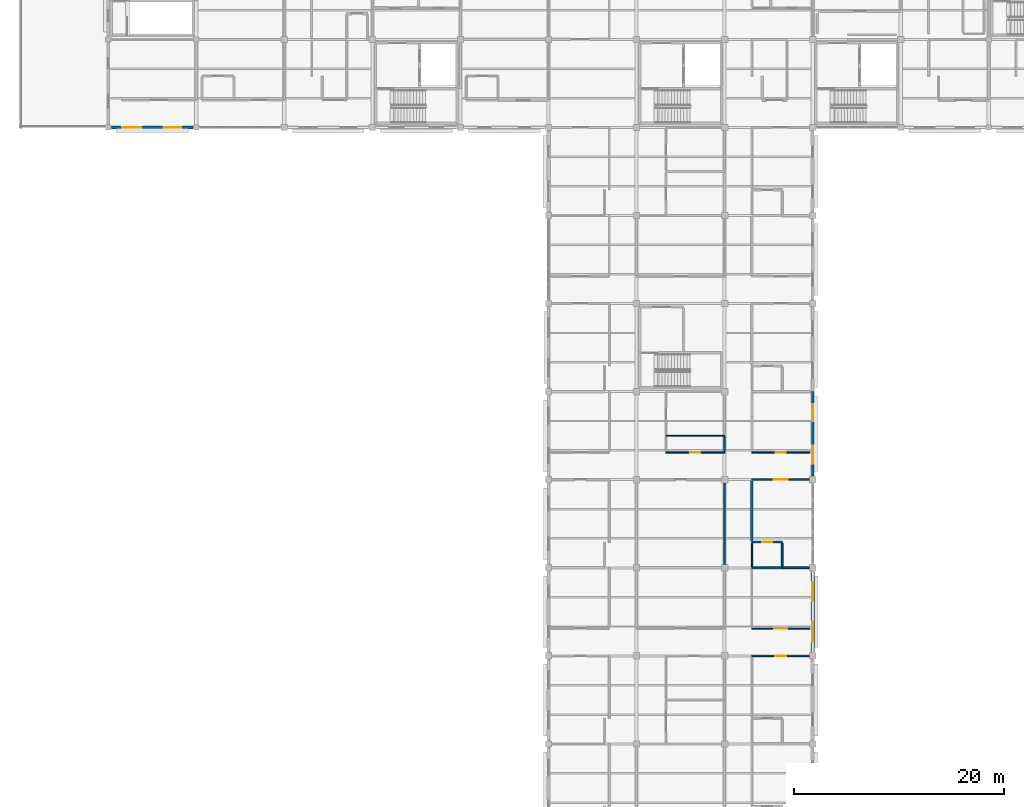
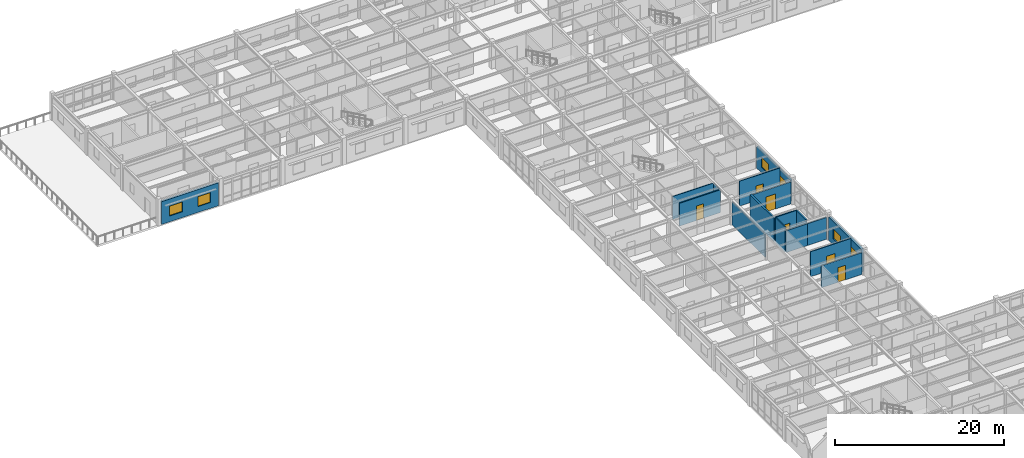
# One storey, part 49 of 70: 17 walls, 6 doors, 6 windows, 12 openings.
"""IFC4 building model written with IfcOpenShell, lengths in metres."""

from ifc_helpers import new_model, si_unit, direction, frame, frame_2d, origin, place, context, subcontext, project, spatial, rectangle, extrude, material, layer, layer_set, type_object, element, fill, save


model = new_model("IFC4")

# Units and contexts
model_context = context("Model", 3, precision=1e-05, world=origin(), true_north=direction((0.0, 1.0)))
body_context = subcontext(model_context, "Body", "Model", "MODEL_VIEW")
ifc_project = project(units=[si_unit("LENGTHUNIT", "METRE"), si_unit("AREAUNIT", "SQUARE_METRE"), si_unit("VOLUMEUNIT", "CUBIC_METRE"), si_unit("PLANEANGLEUNIT", "RADIAN"), si_unit("MASSUNIT", "GRAM", prefix="KILO")], contexts=[model_context])

# Site, building, storey
site_placement = place(None, origin())
site = spatial("IfcSite", under=ifc_project, at=site_placement, CompositionType="ELEMENT")
building_placement = place(site_placement, origin())
building = spatial("IfcBuilding", under=site, at=building_placement, Name="Bramfleet General Hospital", CompositionType="ELEMENT")
storey_placement = place(building_placement, frame((0.0, 0.0, 22.5)))
storey = spatial("IfcBuildingStorey", under=building, at=storey_placement, Name="L05", CompositionType="ELEMENT", Elevation=22.5)

# Wall, openings, windows
ifc_material_1 = material(Name="Precast concrete C40/50", Category="concrete")
ifc_layer_1 = layer(ifc_material_1, 0.3349609375, Name="WT-EW-03")
ifc_layer_set_1 = layer_set([ifc_layer_1], Name="Precast concrete C40/50")
wall_type_1 = type_object("IfcWallType", Name="WT-EW-03", PredefinedType="SOLIDWALL", material=ifc_layer_set_1)
wall_1_placement = place(storey_placement, frame((117.60009765625, 50.02490234375, 0.0), z_axis=(0.0, 0.0, 1.0), x_axis=(0.0, -1.0, 0.0)))
wall_1 = element("IfcWall", 1, at=wall_1_placement, inside=storey, type_object=wall_type_1, Name="L05 Exterior Wall 365", PredefinedType="SOLIDWALL", context=body_context, shape_type="SweptSolid", body=[
    extrude(rectangle(XDim=7.64990234375, YDim=0.3349609375, at=frame_2d((3.824951171875, 0.0))), origin(), (0.0, 0.0, 1.0), 3.340087890625),
])
opening_1_placement = place(wall_1_placement, frame((1.012451171875, 0.0, 0.85009765625)))
opening_1 = element("IfcOpeningElement", 2, at=opening_1_placement, cuts=wall_1, Name="Opening W-19", PredefinedType="OPENING", context=body_context, shape_type="SweptSolid", body=[
    extrude(rectangle(XDim=1.800048828125, YDim=1.419921875, at=frame_2d((0.89990234375, 0.7099609375))), frame((0.0, 0.177490234375, 0.0), z_axis=(0.0, -1.0, 0.0), x_axis=(1.0, 0.0, 0.0)), (0.0, 0.0, 1.0), 0.35498046875),
])
opening_2_placement = place(wall_1_placement, frame((4.78759765625, 0.0, 0.85009765625)))
opening_2 = element("IfcOpeningElement", 3, at=opening_2_placement, cuts=wall_1, Name="Opening W-20", PredefinedType="OPENING", context=body_context, shape_type="SweptSolid", body=[
    extrude(rectangle(XDim=1.89990234375, YDim=1.419921875, at=frame_2d((0.949951171875, 0.7099609375))), frame((0.0, 0.177490234375, 0.0), z_axis=(0.0, -1.0, 0.0), x_axis=(1.0, 0.0, 0.0)), (0.0, 0.0, 1.0), 0.35498046875),
])
ifc_material_2 = material(Name="Anodised aluminium and low-E triple glazing", Category="aluminium")
window_type_1 = type_object("IfcWindowType", Name="WIN-W-19", PartitioningType="SINGLE_PANEL", PredefinedType="WINDOW", material=ifc_material_2)
window_1_placement = place(opening_1_placement, origin())
window_1 = element("IfcWindow", 4, at=window_1_placement, inside=storey, type_object=window_type_1, Name="L05 Facade Window WIN-L05-365-1", OverallHeight=1.419921875, OverallWidth=1.800048828125, PartitioningType="SINGLE_PANEL", PredefinedType="WINDOW", context=body_context, shape_type="SweptSolid", body=[
    extrude(rectangle(XDim=1.800048828125, YDim=1.419921875, at=frame_2d((0.89990234375, 0.7099609375))), frame((0.0, 0.030029296875, 0.0), z_axis=(0.0, -1.0, 0.0), x_axis=(1.0, 0.0, 0.0)), (0.0, 0.0, 1.0), 0.06005859375),
])
fill(opening_1, window_1)
window_type_2 = type_object("IfcWindowType", Name="WIN-W-20", PartitioningType="SINGLE_PANEL", PredefinedType="WINDOW", material=ifc_material_2)
window_2_placement = place(opening_2_placement, origin())
window_2 = element("IfcWindow", 5, at=window_2_placement, inside=storey, type_object=window_type_2, Name="L05 Facade Window WIN-L05-365-2", OverallHeight=1.419921875, OverallWidth=1.89990234375, PartitioningType="SINGLE_PANEL", PredefinedType="WINDOW", context=body_context, shape_type="SweptSolid", body=[
    extrude(rectangle(XDim=1.89990234375, YDim=1.419921875, at=frame_2d((0.949951171875, 0.7099609375))), frame((0.0, 0.030029296875, 0.0), z_axis=(0.0, -1.0, 0.0), x_axis=(1.0, 0.0, 0.0)), (0.0, 0.0, 1.0), 0.06005859375),
])
fill(opening_2, window_2)

ifc_layer_2 = layer(ifc_material_1, 0.264892578125, Name="WT-EW-07")
ifc_layer_set_2 = layer_set([ifc_layer_2], Name="Precast concrete C40/50")
wall_type_2 = type_object("IfcWallType", Name="WT-EW-07", PredefinedType="SOLIDWALL", material=ifc_layer_set_2)
wall_2_placement = place(storey_placement, frame((58.47509765625, 92.39990234375, 0.0), z_axis=(0.0, 0.0, 1.0), x_axis=(-1.0, 0.0, 0.0)))
wall_2 = element("IfcWall", 6, at=wall_2_placement, inside=storey, type_object=wall_type_2, Name="L05 Exterior Wall 341", PredefinedType="SOLIDWALL", context=body_context, shape_type="SweptSolid", body=[
    extrude(rectangle(XDim=7.75, YDim=0.264892578125, at=frame_2d((3.875, 0.0))), origin(), (0.0, 0.0, 1.0), 3.300048828125),
])
opening_3_placement = place(wall_2_placement, frame((1.08740234375, 0.0, 0.85009765625)))
opening_3 = element("IfcOpeningElement", 7, at=opening_3_placement, cuts=wall_2, Name="Opening W-18", PredefinedType="OPENING", context=body_context, shape_type="SweptSolid", body=[
    extrude(rectangle(XDim=1.699951171875, YDim=1.419921875, at=frame_2d((0.85009765625, 0.7099609375))), frame((0.0, 0.142333984375, 0.0), z_axis=(0.0, -1.0, 0.0), x_axis=(1.0, 0.0, 0.0)), (0.0, 0.0, 1.0), 0.284912109375),
])
opening_4_placement = place(wall_2_placement, frame((4.91259765625, 0.0, 0.85009765625)))
opening_4 = element("IfcOpeningElement", 8, at=opening_4_placement, cuts=wall_2, Name="Opening W-19", PredefinedType="OPENING", context=body_context, shape_type="SweptSolid", body=[
    extrude(rectangle(XDim=1.800048828125, YDim=1.419921875, at=frame_2d((0.89990234375, 0.7099609375))), frame((0.0, 0.142333984375, 0.0), z_axis=(0.0, -1.0, 0.0), x_axis=(1.0, 0.0, 0.0)), (0.0, 0.0, 1.0), 0.284912109375),
])
window_type_3 = type_object("IfcWindowType", Name="WIN-W-18", PartitioningType="SINGLE_PANEL", PredefinedType="WINDOW", material=ifc_material_2)
window_3_placement = place(opening_3_placement, origin())
window_3 = element("IfcWindow", 9, at=window_3_placement, inside=storey, type_object=window_type_3, Name="L05 Facade Window WIN-L05-341-1", OverallHeight=1.419921875, OverallWidth=1.699951171875, PartitioningType="SINGLE_PANEL", PredefinedType="WINDOW", context=body_context, shape_type="SweptSolid", body=[
    extrude(rectangle(XDim=1.699951171875, YDim=1.419921875, at=frame_2d((0.85009765625, 0.7099609375))), frame((0.0, 0.030029296875, 0.0), z_axis=(0.0, -1.0, 0.0), x_axis=(1.0, 0.0, 0.0)), (0.0, 0.0, 1.0), 0.06005859375),
])
fill(opening_3, window_3)
window_4_placement = place(opening_4_placement, origin())
window_4 = element("IfcWindow", 10, at=window_4_placement, inside=storey, type_object=window_type_1, Name="L05 Facade Window WIN-L05-341-2", OverallHeight=1.419921875, OverallWidth=1.800048828125, PartitioningType="SINGLE_PANEL", PredefinedType="WINDOW", context=body_context, shape_type="SweptSolid", body=[
    extrude(rectangle(XDim=1.800048828125, YDim=1.419921875, at=frame_2d((0.89990234375, 0.7099609375))), frame((0.0, 0.030029296875, 0.0), z_axis=(0.0, -1.0, 0.0), x_axis=(1.0, 0.0, 0.0)), (0.0, 0.0, 1.0), 0.06005859375),
])
fill(opening_4, window_4)

ifc_layer_3 = layer(ifc_material_1, 0.235107421875, Name="WT-EW-09")
ifc_layer_set_3 = layer_set([ifc_layer_3], Name="Precast concrete C40/50")
wall_type_3 = type_object("IfcWallType", Name="WT-EW-09", PredefinedType="SOLIDWALL", material=ifc_layer_set_3)
wall_3_placement = place(storey_placement, frame((117.60009765625, 67.199951171875, 0.0), z_axis=(0.0, 0.0, 1.0), x_axis=(0.0, -1.0, 0.0)))
wall_3 = element("IfcWall", 11, at=wall_3_placement, inside=storey, type_object=wall_type_3, Name="L05 Exterior Wall 364", PredefinedType="SOLIDWALL", context=body_context, shape_type="SweptSolid", body=[
    extrude(rectangle(XDim=8.02490234375, YDim=0.235107421875, at=frame_2d((4.012451171875, 0.0))), origin(), (0.0, 0.0, 1.0), 3.110107421875),
])
opening_5_placement = place(wall_3_placement, frame((1.206298828125, 0.0, 0.85009765625)))
opening_5 = element("IfcOpeningElement", 12, at=opening_5_placement, cuts=wall_3, Name="Opening W-17", PredefinedType="OPENING", context=body_context, shape_type="SweptSolid", body=[
    extrude(rectangle(XDim=1.60009765625, YDim=1.419921875, at=frame_2d((0.800048828125, 0.7099609375))), frame((0.0, 0.12744140625, 0.0), z_axis=(0.0, -1.0, 0.0), x_axis=(1.0, 0.0, 0.0)), (0.0, 0.0, 1.0), 0.255126953125),
])
opening_6_placement = place(wall_3_placement, frame((5.168701171875, 0.0, 0.85009765625)))
opening_6 = element("IfcOpeningElement", 13, at=opening_6_placement, cuts=wall_3, Name="Opening W-18", PredefinedType="OPENING", context=body_context, shape_type="SweptSolid", body=[
    extrude(rectangle(XDim=1.699951171875, YDim=1.419921875, at=frame_2d((0.85009765625, 0.7099609375))), frame((0.0, 0.12744140625, 0.0), z_axis=(0.0, -1.0, 0.0), x_axis=(1.0, 0.0, 0.0)), (0.0, 0.0, 1.0), 0.255126953125),
])
window_type_4 = type_object("IfcWindowType", Name="WIN-W-17", PartitioningType="SINGLE_PANEL", PredefinedType="WINDOW", material=ifc_material_2)
window_5_placement = place(opening_5_placement, origin())
window_5 = element("IfcWindow", 14, at=window_5_placement, inside=storey, type_object=window_type_4, Name="L05 Facade Window WIN-L05-364-1", OverallHeight=1.419921875, OverallWidth=1.60009765625, PartitioningType="SINGLE_PANEL", PredefinedType="WINDOW", context=body_context, shape_type="SweptSolid", body=[
    extrude(rectangle(XDim=1.60009765625, YDim=1.419921875, at=frame_2d((0.800048828125, 0.7099609375))), frame((0.0, 0.030029296875, 0.0), z_axis=(0.0, -1.0, 0.0), x_axis=(1.0, 0.0, 0.0)), (0.0, 0.0, 1.0), 0.06005859375),
])
fill(opening_5, window_5)
window_6_placement = place(opening_6_placement, origin())
window_6 = element("IfcWindow", 15, at=window_6_placement, inside=storey, type_object=window_type_3, Name="L05 Facade Window WIN-L05-364-2", OverallHeight=1.419921875, OverallWidth=1.699951171875, PartitioningType="SINGLE_PANEL", PredefinedType="WINDOW", context=body_context, shape_type="SweptSolid", body=[
    extrude(rectangle(XDim=1.699951171875, YDim=1.419921875, at=frame_2d((0.85009765625, 0.7099609375))), frame((0.0, 0.030029296875, 0.0), z_axis=(0.0, -1.0, 0.0), x_axis=(1.0, 0.0, 0.0)), (0.0, 0.0, 1.0), 0.06005859375),
])
fill(opening_6, window_6)

# Walls
ifc_material_3 = material(Name="Concrete C35/45", Category="concrete")
ifc_layer_4 = layer(ifc_material_3, 0.219970703125, Name="WT-IW-01")
ifc_layer_set_4 = layer_set([ifc_layer_4], Name="Concrete C35/45")
wall_type_4 = type_object("IfcWallType", Name="WT-IW-01", PredefinedType="PARTITIONING", material=ifc_layer_set_4)
wall_4_placement = place(storey_placement, frame((111.800048828125, 52.965087890625, 0.0), z_axis=(0.0, 0.0, 1.0), x_axis=(0.0, 1.0, 0.0)))
element("IfcWall", 16, at=wall_4_placement, inside=storey, type_object=wall_type_4, Name="L05 Interior Partition IW-L05-3757", PredefinedType="PARTITIONING", context=body_context, shape_type="SweptSolid", body=[
    extrude(rectangle(XDim=5.719970703125, YDim=0.219970703125, at=frame_2d((2.85986328125, 0.0))), origin(), (0.0, 0.0, 1.0), 3.340087890625),
])
ifc_layer_5 = layer(ifc_material_3, 0.18994140625, Name="WT-IW-03")
ifc_layer_set_5 = layer_set([ifc_layer_5], Name="Concrete C35/45")
wall_type_5 = type_object("IfcWallType", Name="WT-IW-03", PredefinedType="PARTITIONING", material=ifc_layer_set_5)
wall_5_placement = place(storey_placement, frame((111.800048828125, 50.39990234375, 0.0), z_axis=(0.0, 0.0, 1.0), x_axis=(1.0, 0.0, 0.0)))
element("IfcWall", 17, at=wall_5_placement, inside=storey, type_object=wall_type_5, Name="L05 Interior Partition IW-L05-3555", PredefinedType="PARTITIONING", context=body_context, shape_type="SweptSolid", body=[
    extrude(rectangle(XDim=2.89990234375, YDim=0.18994140625, at=frame_2d((1.449951171875, 0.0))), origin(), (0.0, 0.0, 1.0), 3.159912109375),
])
ifc_layer_6 = layer(ifc_material_3, 0.179931640625, Name="WT-IW-04")
ifc_layer_set_6 = layer_set([ifc_layer_6], Name="Concrete C35/45")
wall_type_6 = type_object("IfcWallType", Name="WT-IW-04", PredefinedType="PARTITIONING", material=ifc_layer_set_6)
wall_6_placement = place(storey_placement, frame((114.699951171875, 50.39990234375, 0.0), z_axis=(0.0, 0.0, 1.0), x_axis=(1.0, 0.0, 0.0)))
element("IfcWall", 18, at=wall_6_placement, inside=storey, type_object=wall_type_6, Name="L05 Interior Partition IW-L05-3556", PredefinedType="PARTITIONING", context=body_context, shape_type="SweptSolid", body=[
    extrude(rectangle(XDim=2.60498046875, YDim=0.179931640625, at=frame_2d((1.302490234375, 0.0))), origin(), (0.0, 0.0, 1.0), 3.159912109375),
])

# Wall, opening, door
ifc_material_4 = material(Name="Gypsum plasterboard on acoustic steel studs", Category="steel")
ifc_layer_7 = layer(ifc_material_4, 0.169921875, Name="WT-IW-05")
ifc_layer_set_7 = layer_set([ifc_layer_7], Name="Gypsum plasterboard on acoustic steel studs")
wall_type_7 = type_object("IfcWallType", Name="WT-IW-05", PredefinedType="PARTITIONING", material=ifc_layer_set_7)
wall_7_placement = place(storey_placement, frame((111.800048828125, 52.85009765625, 0.0), z_axis=(0.0, 0.0, 1.0), x_axis=(1.0, 0.0, 0.0)))
wall_7 = element("IfcWall", 19, at=wall_7_placement, inside=storey, type_object=wall_type_7, Name="L05 Interior Partition IW-L05-3557", PredefinedType="PARTITIONING", context=body_context, shape_type="SweptSolid", body=[
    extrude(rectangle(XDim=2.89990234375, YDim=0.169921875, at=frame_2d((1.449951171875, 0.0))), origin(), (0.0, 0.0, 1.0), 3.610107421875),
])
opening_7_placement = place(wall_7_placement, frame((0.97509765625, 0.0, 0.0)))
opening_7 = element("IfcOpeningElement", 20, at=opening_7_placement, cuts=wall_7, Name="Opening D1401", PredefinedType="OPENING", context=body_context, shape_type="SweptSolid", body=[
    extrude(rectangle(XDim=0.949951171875, YDim=2.10009765625, at=frame_2d((0.47509765625, 1.050048828125))), frame((0.0, 0.094970703125, 0.0), z_axis=(0.0, -1.0, 0.0), x_axis=(1.0, 0.0, 0.0)), (0.0, 0.0, 1.0), 0.18994140625),
])
ifc_material_5 = material(Name="Stainless steel and acoustic timber leaf", Category="steel")
door_type_1 = type_object("IfcDoorType", Name="DR-D-10", OperationType="NOTDEFINED", PredefinedType="DOOR", material=ifc_material_5)
door_1_placement = place(opening_7_placement, origin())
door_1 = element("IfcDoor", 21, at=door_1_placement, inside=storey, type_object=door_type_1, Name="En-Suite Bathroom L05-1306 Door D1401", OperationType="SINGLE_SWING_LEFT", OverallHeight=2.10009765625, OverallWidth=0.949951171875, PredefinedType="DOOR", context=body_context, shape_type="SweptSolid", body=[
    extrude(rectangle(XDim=0.949951171875, YDim=2.10009765625, at=frame_2d((0.47509765625, 1.050048828125))), frame((0.0, 0.02490234375, 0.0), z_axis=(0.0, -1.0, 0.0), x_axis=(1.0, 0.0, 0.0)), (0.0, 0.0, 1.0), 0.050048828125),
])
fill(opening_7, door_1)

# Wall
wall_8_placement = place(storey_placement, frame((114.699951171875, 50.514892578125, 0.0), z_axis=(0.0, 0.0, 1.0), x_axis=(0.0, 1.0, 0.0)))
element("IfcWall", 22, at=wall_8_placement, inside=storey, type_object=wall_type_7, Name="L05 Interior Partition IW-L05-3773", PredefinedType="PARTITIONING", context=body_context, shape_type="SweptSolid", body=[
    extrude(rectangle(XDim=2.22021484375, YDim=0.169921875, at=frame_2d((1.110107421875, 0.0))), origin(), (0.0, 0.0, 1.0), 3.610107421875),
])

# Wall, opening, door
ifc_layer_8 = layer(ifc_material_4, 0.139892578125, Name="WT-IW-08")
ifc_layer_set_8 = layer_set([ifc_layer_8], Name="Gypsum plasterboard on acoustic steel studs")
wall_type_8 = type_object("IfcWallType", Name="WT-IW-08", PredefinedType="PARTITIONING", material=ifc_layer_set_8)
wall_9_placement = place(storey_placement, frame((111.800048828125, 58.800048828125, 0.0), z_axis=(0.0, 0.0, 1.0), x_axis=(1.0, 0.0, 0.0)))
wall_9 = element("IfcWall", 23, at=wall_9_placement, inside=storey, type_object=wall_type_8, Name="L05 Interior Partition IW-L05-3560", PredefinedType="PARTITIONING", context=body_context, shape_type="SweptSolid", body=[
    extrude(rectangle(XDim=5.5048828125, YDim=0.139892578125, at=frame_2d((2.75244140625, 0.0))), origin(), (0.0, 0.0, 1.0), 3.159912109375),
])
opening_8_placement = place(wall_9_placement, frame((2.092529296875, 0.0, 0.0)))
opening_8 = element("IfcOpeningElement", 24, at=opening_8_placement, cuts=wall_9, Name="Opening D1400", PredefinedType="OPENING", context=body_context, shape_type="SweptSolid", body=[
    extrude(rectangle(XDim=1.320068359375, YDim=2.179931640625, at=frame_2d((0.66015625, 1.08984375))), frame((0.0, 0.079833984375, 0.0), z_axis=(0.0, -1.0, 0.0), x_axis=(1.0, 0.0, 0.0)), (0.0, 0.0, 1.0), 0.159912109375),
])
door_type_2 = type_object("IfcDoorType", Name="DR-D-24", OperationType="NOTDEFINED", PredefinedType="DOOR", material=ifc_material_5)
door_2_placement = place(opening_8_placement, origin())
door_2 = element("IfcDoor", 25, at=door_2_placement, inside=storey, type_object=door_type_2, Name="Medical and Cardiology Ward Bedroom L05-1306 Door D1400", OperationType="SINGLE_SWING_LEFT", OverallHeight=2.179931640625, OverallWidth=1.320068359375, PredefinedType="DOOR", context=body_context, shape_type="SweptSolid", body=[
    extrude(rectangle(XDim=1.320068359375, YDim=2.179931640625, at=frame_2d((0.66015625, 1.08984375))), frame((0.0, 0.02490234375, 0.0), z_axis=(0.0, -1.0, 0.0), x_axis=(1.0, 0.0, 0.0)), (0.0, 0.0, 1.0), 0.050048828125),
])
fill(opening_8, door_2)

ifc_layer_9 = layer(ifc_material_4, 0.1298828125, Name="WT-IW-09")
ifc_layer_set_9 = layer_set([ifc_layer_9], Name="Gypsum plasterboard on acoustic steel studs")
wall_type_9 = type_object("IfcWallType", Name="WT-IW-09", PredefinedType="PARTITIONING", material=ifc_layer_set_9)
wall_10_placement = place(storey_placement, frame((111.800048828125, 42.0, 0.0), z_axis=(0.0, 0.0, 1.0), x_axis=(1.0, 0.0, 0.0)))
wall_10 = element("IfcWall", 26, at=wall_10_placement, inside=storey, type_object=wall_type_9, Name="L05 Interior Partition IW-L05-3549", PredefinedType="PARTITIONING", context=body_context, shape_type="SweptSolid", body=[
    extrude(rectangle(XDim=5.5048828125, YDim=0.1298828125, at=frame_2d((2.75244140625, 0.0))), origin(), (0.0, 0.0, 1.0), 3.159912109375),
])
opening_9_placement = place(wall_10_placement, frame((2.242431640625, 0.0, 0.0)))
opening_9 = element("IfcOpeningElement", 27, at=opening_9_placement, cuts=wall_10, Name="Opening D1397", PredefinedType="OPENING", context=body_context, shape_type="SweptSolid", body=[
    extrude(rectangle(XDim=1.02001953125, YDim=2.1201171875, at=frame_2d((0.510009765625, 1.06005859375))), frame((0.0, 0.074951171875, 0.0), z_axis=(0.0, -1.0, 0.0), x_axis=(1.0, 0.0, 0.0)), (0.0, 0.0, 1.0), 0.14990234375),
])
door_type_3 = type_object("IfcDoorType", Name="DR-D-21", OperationType="NOTDEFINED", PredefinedType="DOOR", material=ifc_material_5)
door_3_placement = place(opening_9_placement, origin())
door_3 = element("IfcDoor", 28, at=door_3_placement, inside=storey, type_object=door_type_3, Name="Medical and Cardiology Ward Bedroom L05-1304 Door D1397", OperationType="SINGLE_SWING_RIGHT", OverallHeight=2.1201171875, OverallWidth=1.02001953125, PredefinedType="DOOR", context=body_context, shape_type="SweptSolid", body=[
    extrude(rectangle(XDim=1.02001953125, YDim=2.1201171875, at=frame_2d((0.510009765625, 1.06005859375))), frame((0.0, 0.02490234375, 0.0), z_axis=(0.0, -1.0, 0.0), x_axis=(1.0, 0.0, 0.0)), (0.0, 0.0, 1.0), 0.050048828125),
])
fill(opening_9, door_3)

# Wall
wall_11_placement = place(storey_placement, frame((109.199951171875, 50.695068359375, 0.0), z_axis=(0.0, 0.0, 1.0), x_axis=(0.0, 1.0, 0.0)))
element("IfcWall", 29, at=wall_11_placement, inside=storey, type_object=wall_type_9, Name="L05 Interior Partition IW-L05-3741", PredefinedType="PARTITIONING", context=body_context, shape_type="SweptSolid", body=[
    extrude(rectangle(XDim=7.809814453125, YDim=0.1298828125, at=frame_2d((3.90478515625, 0.0))), origin(), (0.0, 0.0, 1.0), 3.300048828125),
])

# Wall, opening, door
ifc_layer_10 = layer(ifc_material_4, 0.1201171875, Name="WT-IW-10")
ifc_layer_set_10 = layer_set([ifc_layer_10], Name="Gypsum plasterboard on acoustic steel studs")
wall_type_10 = type_object("IfcWallType", Name="WT-IW-10", PredefinedType="PARTITIONING", material=ifc_layer_set_10)
wall_12_placement = place(storey_placement, frame((103.60009765625, 61.39990234375, 0.0), z_axis=(0.0, 0.0, 1.0), x_axis=(1.0, 0.0, 0.0)))
wall_12 = element("IfcWall", 30, at=wall_12_placement, inside=storey, type_object=wall_type_10, Name="L05 Interior Partition IW-L05-3562", PredefinedType="PARTITIONING", context=body_context, shape_type="SweptSolid", body=[
    extrude(rectangle(XDim=5.599853515625, YDim=0.1201171875, at=frame_2d((2.7998046875, 0.0))), origin(), (0.0, 0.0, 1.0), 3.300048828125),
])
opening_10_placement = place(wall_12_placement, frame((2.324951171875, 0.0, 0.0)))
opening_10 = element("IfcOpeningElement", 31, at=opening_10_placement, cuts=wall_12, Name="Opening D1386", PredefinedType="OPENING", context=body_context, shape_type="SweptSolid", body=[
    extrude(rectangle(XDim=0.949951171875, YDim=2.10009765625, at=frame_2d((0.47509765625, 1.050048828125))), frame((0.0, 0.070068359375, 0.0), z_axis=(0.0, -1.0, 0.0), x_axis=(1.0, 0.0, 0.0)), (0.0, 0.0, 1.0), 0.14013671875),
])
door_4_placement = place(opening_10_placement, origin())
door_4 = element("IfcDoor", 32, at=door_4_placement, inside=storey, type_object=door_type_1, Name="Clean Medication and Treatment Room L05-1207 Door D1386", OperationType="SINGLE_SWING_LEFT", OverallHeight=2.10009765625, OverallWidth=0.949951171875, PredefinedType="DOOR", context=body_context, shape_type="SweptSolid", body=[
    extrude(rectangle(XDim=0.949951171875, YDim=2.10009765625, at=frame_2d((0.47509765625, 1.050048828125))), frame((0.0, 0.02490234375, 0.0), z_axis=(0.0, -1.0, 0.0), x_axis=(1.0, 0.0, 0.0)), (0.0, 0.0, 1.0), 0.050048828125),
])
fill(opening_10, door_4)

# Walls
wall_13_placement = place(storey_placement, frame((109.199951171875, 61.514892578125, 0.0), z_axis=(0.0, 0.0, 1.0), x_axis=(0.0, 1.0, 0.0)))
element("IfcWall", 33, at=wall_13_placement, inside=storey, type_object=wall_type_10, Name="L05 Interior Partition IW-L05-3742", PredefinedType="PARTITIONING", context=body_context, shape_type="SweptSolid", body=[
    extrude(rectangle(XDim=1.3701171875, YDim=0.1201171875, at=frame_2d((0.68505859375, 0.0))), origin(), (0.0, 0.0, 1.0), 3.300048828125),
])
wall_14_placement = place(storey_placement, frame((111.800048828125, 50.514892578125, 0.0), z_axis=(0.0, 0.0, 1.0), x_axis=(0.0, 1.0, 0.0)))
element("IfcWall", 34, at=wall_14_placement, inside=storey, type_object=wall_type_10, Name="L05 Interior Partition IW-L05-3756", PredefinedType="PARTITIONING", context=body_context, shape_type="SweptSolid", body=[
    extrude(rectangle(XDim=2.22021484375, YDim=0.1201171875, at=frame_2d((1.110107421875, 0.0))), origin(), (0.0, 0.0, 1.0), 3.610107421875),
])

# Wall, opening, door
ifc_layer_11 = layer(ifc_material_4, 0.112060546875, Name="WT-IW-11")
ifc_layer_set_11 = layer_set([ifc_layer_11], Name="Gypsum plasterboard on acoustic steel studs")
wall_type_11 = type_object("IfcWallType", Name="WT-IW-11", PredefinedType="PARTITIONING", material=ifc_layer_set_11)
wall_15_placement = place(storey_placement, frame((111.800048828125, 61.39990234375, 0.0), z_axis=(0.0, 0.0, 1.0), x_axis=(1.0, 0.0, 0.0)))
wall_15 = element("IfcWall", 35, at=wall_15_placement, inside=storey, type_object=wall_type_11, Name="L05 Interior Partition IW-L05-3563", PredefinedType="PARTITIONING", context=body_context, shape_type="SweptSolid", body=[
    extrude(rectangle(XDim=5.52001953125, YDim=0.112060546875, at=frame_2d((2.760009765625, 0.0))), origin(), (0.0, 0.0, 1.0), 3.610107421875),
])
opening_11_placement = place(wall_15_placement, frame((2.27001953125, 0.0, 0.0)))
opening_11 = element("IfcOpeningElement", 36, at=opening_11_placement, cuts=wall_15, Name="Opening D1402", PredefinedType="OPENING", context=body_context, shape_type="SweptSolid", body=[
    extrude(rectangle(XDim=0.97998046875, YDim=2.1201171875, at=frame_2d((0.489990234375, 1.06005859375))), frame((0.0, 0.06591796875, 0.0), z_axis=(0.0, -1.0, 0.0), x_axis=(1.0, 0.0, 0.0)), (0.0, 0.0, 1.0), 0.132080078125),
])
door_type_4 = type_object("IfcDoorType", Name="DR-D-26", OperationType="NOTDEFINED", PredefinedType="DOOR", material=ifc_material_5)
door_5_placement = place(opening_11_placement, origin())
door_5 = element("IfcDoor", 37, at=door_5_placement, inside=storey, type_object=door_type_4, Name="Medical and Cardiology Ward Bedroom L05-1307 Door D1402", OperationType="SINGLE_SWING_LEFT", OverallHeight=2.1201171875, OverallWidth=0.97998046875, PredefinedType="DOOR", context=body_context, shape_type="SweptSolid", body=[
    extrude(rectangle(XDim=0.97998046875, YDim=2.1201171875, at=frame_2d((0.489990234375, 1.06005859375))), frame((0.0, 0.02490234375, 0.0), z_axis=(0.0, -1.0, 0.0), x_axis=(1.0, 0.0, 0.0)), (0.0, 0.0, 1.0), 0.050048828125),
])
fill(opening_11, door_5)

ifc_layer_12 = layer(ifc_material_4, 0.10009765625, Name="WT-IW-12")
ifc_layer_set_12 = layer_set([ifc_layer_12], Name="Gypsum plasterboard on acoustic steel studs")
wall_type_12 = type_object("IfcWallType", Name="WT-IW-12", PredefinedType="PARTITIONING", material=ifc_layer_set_12)
wall_16_placement = place(storey_placement, frame((111.800048828125, 44.60009765625, 0.0), z_axis=(0.0, 0.0, 1.0), x_axis=(1.0, 0.0, 0.0)))
wall_16 = element("IfcWall", 38, at=wall_16_placement, inside=storey, type_object=wall_type_12, Name="L05 Interior Partition IW-L05-3552", PredefinedType="PARTITIONING", context=body_context, shape_type="SweptSolid", body=[
    extrude(rectangle(XDim=5.52001953125, YDim=0.10009765625, at=frame_2d((2.760009765625, 0.0))), origin(), (0.0, 0.0, 1.0), 3.610107421875),
])
opening_12_placement = place(wall_16_placement, frame((2.14990234375, 0.0, 0.0)))
opening_12 = element("IfcOpeningElement", 39, at=opening_12_placement, cuts=wall_16, Name="Opening D1399", PredefinedType="OPENING", context=body_context, shape_type="SweptSolid", body=[
    extrude(rectangle(XDim=1.219970703125, YDim=2.179931640625, at=frame_2d((0.60986328125, 1.08984375))), frame((0.0, 0.06005859375, 0.0), z_axis=(0.0, -1.0, 0.0), x_axis=(1.0, 0.0, 0.0)), (0.0, 0.0, 1.0), 0.1201171875),
])
door_type_5 = type_object("IfcDoorType", Name="DR-D-23", OperationType="NOTDEFINED", PredefinedType="DOOR", material=ifc_material_5)
door_6_placement = place(opening_12_placement, origin())
door_6 = element("IfcDoor", 40, at=door_6_placement, inside=storey, type_object=door_type_5, Name="Medical and Cardiology Ward Bedroom L05-1305 Door D1399", OperationType="SINGLE_SWING_RIGHT", OverallHeight=2.179931640625, OverallWidth=1.219970703125, PredefinedType="DOOR", context=body_context, shape_type="SweptSolid", body=[
    extrude(rectangle(XDim=1.219970703125, YDim=2.179931640625, at=frame_2d((0.60986328125, 1.08984375))), frame((0.0, 0.02490234375, 0.0), z_axis=(0.0, -1.0, 0.0), x_axis=(1.0, 0.0, 0.0)), (0.0, 0.0, 1.0), 0.050048828125),
])
fill(opening_12, door_6)

# Wall
wall_17_placement = place(storey_placement, frame((103.60009765625, 63.0, 0.0), z_axis=(0.0, 0.0, 1.0), x_axis=(1.0, 0.0, 0.0)))
element("IfcWall", 41, at=wall_17_placement, inside=storey, type_object=wall_type_12, Name="L05 Interior Partition IW-L05-3564", PredefinedType="PARTITIONING", context=body_context, shape_type="SweptSolid", body=[
    extrude(rectangle(XDim=5.599853515625, YDim=0.10009765625, at=frame_2d((2.7998046875, 0.0))), origin(), (0.0, 0.0, 1.0), 3.300048828125),
])

save(model, "model.ifc")
